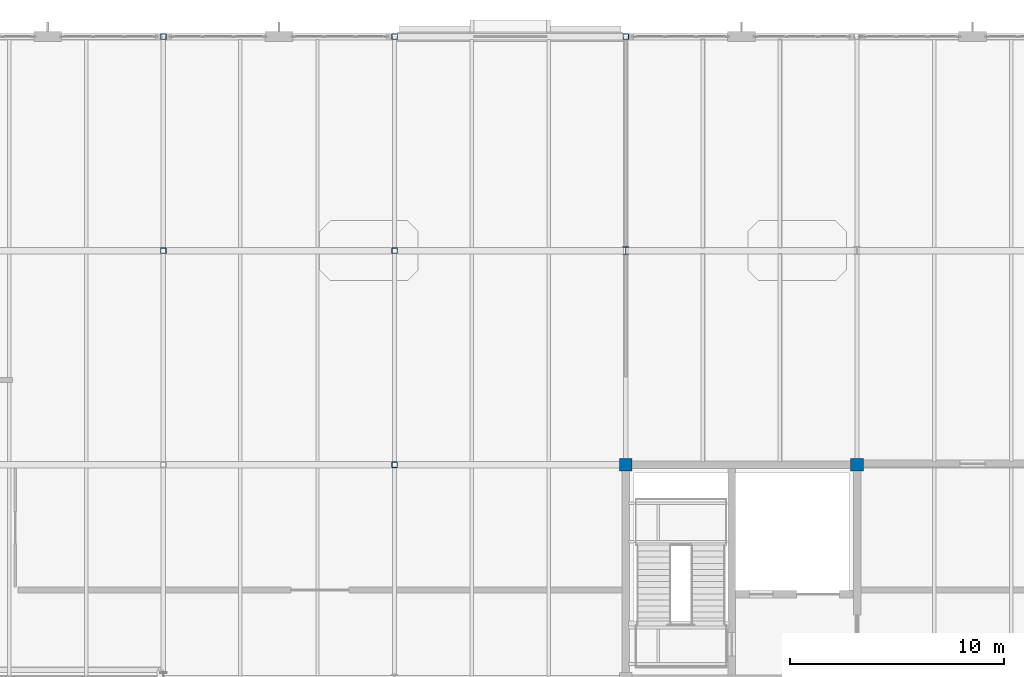
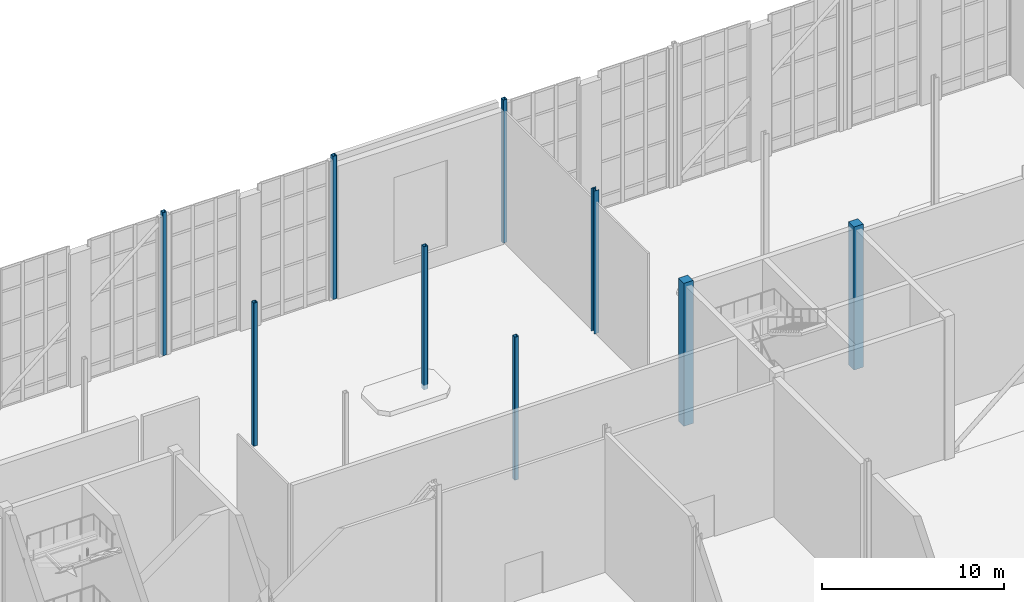
# One storey, part 9 of 100: 9 columns.
"""IFC4 building model written with IfcOpenShell, lengths in metres."""

from ifc_helpers import new_model, si_unit, direction, frame, origin, origin_2d, place, context, subcontext, project, spatial, rectangle, hollow_rectangle, i_section, extrude, material, material_profile, profile_set, type_object, element, save


model = new_model("IFC4")

# Units and contexts
model_context = context("Model", 3, precision=1e-05, world=origin(), true_north=direction((0.0, 1.0)))
body_context = subcontext(model_context, "Body", "Model", "MODEL_VIEW")
ifc_project = project(units=[si_unit("LENGTHUNIT", "METRE"), si_unit("AREAUNIT", "SQUARE_METRE"), si_unit("VOLUMEUNIT", "CUBIC_METRE"), si_unit("PLANEANGLEUNIT", "RADIAN"), si_unit("MASSUNIT", "GRAM", prefix="KILO")], contexts=[model_context])

# Site, building, storey
site_placement = place(None, origin())
site = spatial("IfcSite", under=ifc_project, at=site_placement, CompositionType="ELEMENT")
building_placement = place(site_placement, origin())
building = spatial("IfcBuilding", under=site, at=building_placement, Name="Tasgan Crest Museum", CompositionType="ELEMENT")
storey_placement = place(building_placement, frame((0.0, 0.0, 14.39990234375)))
storey = spatial("IfcBuildingStorey", under=building, at=storey_placement, Name="L03", CompositionType="ELEMENT", Elevation=14.39990234375)

# Columns
ifc_material_1 = material(Name="Steel S355J2", Category="steel")
ifc_material_profile_1 = material_profile(ifc_material_1, i_section(OverallWidth=0.300048828125, OverallDepth=0.35009765625, WebThickness=0.009521484375, FlangeThickness=0.017578125, FilletRadius=0.027099609375, at=origin_2d()), Name="HEA 360")
ifc_profile_set_1 = profile_set([ifc_material_profile_1], Name="Steel S355J2")
column_type_1 = type_object("IfcColumnType", Name="COL-HEA360", PredefinedType="COLUMN", material=ifc_profile_set_1)
column_placement = place(storey_placement, frame((54.0, 102.0, 0.0), z_axis=(0.0, 0.0, 1.0), x_axis=(1.0, 0.0, 0.0)))
element("IfcColumn", 1, at=column_placement, inside=storey, type_object=column_type_1, Name="Column 6/L L03", PredefinedType="COLUMN", context=body_context, shape_type="SweptSolid", body=[
    extrude(i_section(OverallWidth=0.300048828125, OverallDepth=0.35009765625, WebThickness=0.009521484375, FlangeThickness=0.017578125, FilletRadius=0.027099609375, at=origin_2d()), origin(), (0.0, 0.0, 1.0), 9.60009765625),
])
ifc_material_2 = material(Name="Concrete C40/50", Category="concrete")
ifc_material_profile_2 = material_profile(ifc_material_2, rectangle(XDim=0.60009765625, YDim=0.60009765625, at=origin_2d()), Name="RC 600x600")
ifc_profile_set_2 = profile_set([ifc_material_profile_2], Name="Concrete C40/50")
column_type_2 = type_object("IfcColumnType", Name="COL-RC600", PredefinedType="COLUMN", material=ifc_profile_set_2)
for number, where, z_axis, x_axis, name in (
    (2, (54.0, 92.0, 0.0), (0.0, 0.0, 1.0), (1.0, 0.0, 0.0), "Column 6/K L03"),
    (3, (64.800048828125, 92.0, 0.0), (0.0, 0.0, 1.0), (1.0, 0.0, 0.0), "Column 7/K L03"),
):
    element("IfcColumn", number, at=place(storey_placement, frame(where, z_axis=z_axis, x_axis=x_axis)), inside=storey, type_object=column_type_2, Name=name, PredefinedType="COLUMN", context=body_context, shape_type="SweptSolid", body=[
        extrude(rectangle(XDim=0.60009765625, YDim=0.60009765625, at=origin_2d()), origin(), (0.0, 0.0, 1.0), 9.60009765625),
    ])
ifc_material_3 = material(Name="Steel S355K2", Category="steel")
ifc_material_profile_3 = material_profile(ifc_material_3, hollow_rectangle(XDim=0.260009765625, YDim=0.260009765625, WallThickness=0.01416015625, InnerFilletRadius=0.01416015625, OuterFilletRadius=0.0283203125, at=origin_2d()), Name="SHS 260x260x14.2")
ifc_profile_set_3 = profile_set([ifc_material_profile_3], Name="Steel S355K2")
column_type_3 = type_object("IfcColumnType", Name="COL-SHS260", PredefinedType="COLUMN", material=ifc_profile_set_3)
for number, where, z_axis, x_axis, name in (
    (4, (32.39990234375, 102.0, 0.0), (0.0, 0.0, 1.0), (1.0, 0.0, 0.0), "Column 4/L L03"),
    (5, (32.39990234375, 112.0, 0.0), (0.0, 0.0, 1.0), (1.0, 0.0, 0.0), "Column 4/M L03"),
    (6, (43.199951171875, 92.0, 0.0), (0.0, 0.0, 1.0), (1.0, 0.0, 0.0), "Column 5/K L03"),
    (7, (43.199951171875, 102.0, 0.0), (0.0, 0.0, 1.0), (1.0, 0.0, 0.0), "Column 5/L L03"),
    (8, (43.199951171875, 112.0, 0.0), (0.0, 0.0, 1.0), (1.0, 0.0, 0.0), "Column 5/M L03"),
    (9, (54.0, 112.0, 0.0), (0.0, 0.0, 1.0), (1.0, 0.0, 0.0), "Column 6/M L03"),
):
    element("IfcColumn", number, at=place(storey_placement, frame(where, z_axis=z_axis, x_axis=x_axis)), inside=storey, type_object=column_type_3, Name=name, PredefinedType="COLUMN", context=body_context, shape_type="SweptSolid", body=[
        extrude(hollow_rectangle(XDim=0.260009765625, YDim=0.260009765625, WallThickness=0.01416015625, InnerFilletRadius=0.01416015625, OuterFilletRadius=0.0283203125, at=origin_2d()), origin(), (0.0, 0.0, 1.0), 9.60009765625),
    ])

save(model, "model.ifc")
